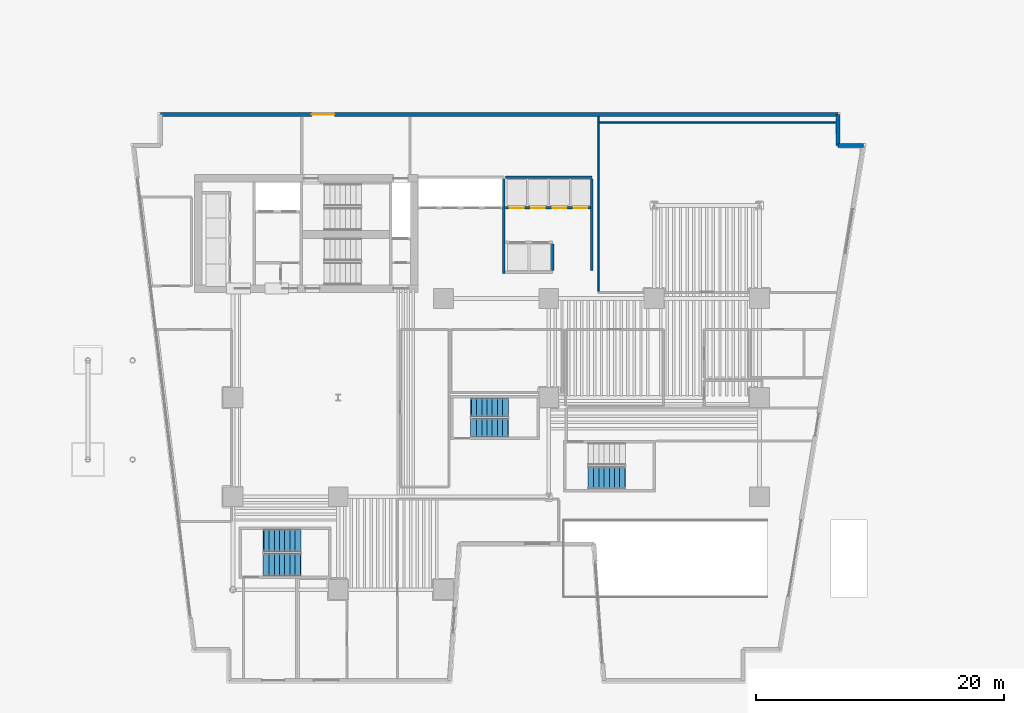
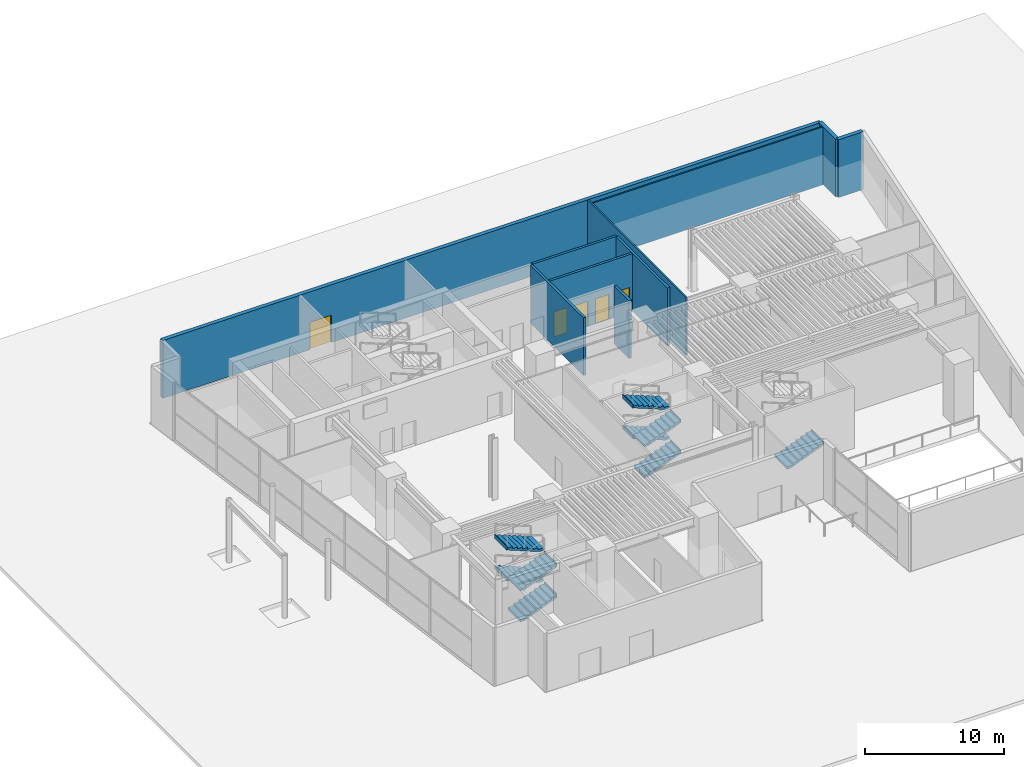
# One storey, part 11 of 18: 10 walls, 9 stair flights, 5 doors, 5 openings, 3 elements without a shape of their own.
"""IFC4 building model written with IfcOpenShell, lengths in metres."""

from ifc_helpers import new_model, si_unit, direction, frame, frame_2d, origin, place, context, subcontext, project, spatial, polyline, rectangle, outline, extrude, material, layer, layer_set, type_object, element, fill, aggregate, save


model = new_model("IFC4")

# Units and contexts
model_context = context("Model", 3, precision=1e-05, world=origin(), true_north=direction((0.0, 1.0)))
body_context = subcontext(model_context, "Body", "Model", "MODEL_VIEW")
ifc_project = project(units=[si_unit("LENGTHUNIT", "METRE"), si_unit("AREAUNIT", "SQUARE_METRE"), si_unit("VOLUMEUNIT", "CUBIC_METRE"), si_unit("PLANEANGLEUNIT", "RADIAN"), si_unit("MASSUNIT", "GRAM", prefix="KILO")], contexts=[model_context])

# Site, building, storey
site_placement = place(None, origin())
site = spatial("IfcSite", under=ifc_project, at=site_placement, CompositionType="ELEMENT")
building_placement = place(site_placement, origin())
building = spatial("IfcBuilding", under=site, at=building_placement, Name="Caeloran Harvest Quay", CompositionType="ELEMENT")
storey_placement = place(building_placement, origin())
storey = spatial("IfcBuildingStorey", under=building, at=storey_placement, Name="L01", CompositionType="ELEMENT", Elevation=0.0)

# Wall, opening, door
ifc_material_1 = material(Name="Precast concrete C50/60", Category="concrete")
ifc_layer_1 = layer(ifc_material_1, 0.320068359375, Name="Precast concrete C50/60")
ifc_layer_set_1 = layer_set([ifc_layer_1], Name="Precast concrete C50/60")
wall_type_1 = type_object("IfcWallType", Name="ENV-WALL-EW-320", PredefinedType="STANDARD", material=ifc_layer_set_1)
wall_1_placement = place(storey_placement, frame((2.659912109375, 45.840087890625, 0.0), z_axis=(0.0, 0.0, 1.0), x_axis=(1.0, 0.0, 0.0)))
wall_1 = element("IfcWall", 1, at=wall_1_placement, inside=storey, type_object=wall_type_1, Name="L01 Exterior Precast Concrete Facade Wall 6", PredefinedType="STANDARD", context=body_context, shape_type="SweptSolid", body=[
    extrude(rectangle(XDim=54.68017578125, YDim=0.320068359375, at=frame_2d((27.340087890625, 0.0))), origin(), (0.0, 0.0, 1.0), 5.080078125),
])
opening_1_placement = place(wall_1_placement, frame((12.222900390625, 0.0, 0.0)))
opening_1 = element("IfcOpeningElement", 2, at=opening_1_placement, cuts=wall_1, Name="Opening ED-02", PredefinedType="OPENING", context=body_context, shape_type="SweptSolid", body=[
    extrude(rectangle(XDim=1.800048828125, YDim=2.39990234375, at=frame_2d((0.89990234375, 1.199951171875))), frame((0.0, 0.169921875, 0.0), z_axis=(0.0, -1.0, 0.0), x_axis=(1.0, 0.0, 0.0)), (0.0, 0.0, 1.0), 0.340087890625),
])
ifc_material_2 = material(Name="Thermally Broken Powder-Coated Aluminium and Safety Glass", Category="aluminium")
door_type_1 = type_object("IfcDoorType", Name="EXTDOOR-ED-02", OperationType="NOTDEFINED", PredefinedType="DOOR", material=ifc_material_2)
door_1_placement = place(opening_1_placement, origin())
door_1 = element("IfcDoor", 3, at=door_1_placement, inside=storey, type_object=door_type_1, Name="L01 Protected Passage ST-C1 Final Exit Door", OperationType="DOUBLE_DOOR_SINGLE_SWING", OverallHeight=2.39990234375, OverallWidth=1.800048828125, PredefinedType="DOOR", context=body_context, shape_type="SweptSolid", body=[
    extrude(rectangle(XDim=1.800048828125, YDim=2.39990234375, at=frame_2d((0.89990234375, 1.199951171875))), frame((0.0, 0.02490234375, 0.0), z_axis=(0.0, -1.0, 0.0), x_axis=(1.0, 0.0, 0.0)), (0.0, 0.0, 1.0), 0.050048828125),
])
fill(opening_1, door_1)

# Walls
wall_2_placement = place(storey_placement, frame((57.340087890625, 45.840087890625, 0.0), z_axis=(0.0, 0.0, 1.0), x_axis=(0.0, -1.0, 0.0)))
element("IfcWall", 4, at=wall_2_placement, inside=storey, type_object=wall_type_1, Name="L01 Exterior Precast Concrete Facade Wall 7", PredefinedType="STANDARD", context=body_context, shape_type="SweptSolid", body=[
    extrude(rectangle(XDim=2.5, YDim=0.320068359375, at=frame_2d((1.25, 0.0))), origin(), (0.0, 0.0, 1.0), 5.080078125),
])
wall_3_placement = place(storey_placement, frame((57.340087890625, 43.340087890625, 0.0), z_axis=(0.0, 0.0, 1.0), x_axis=(1.0, 0.0, 0.0)))
element("IfcWall", 5, at=wall_3_placement, inside=storey, type_object=wall_type_1, Name="L01 Exterior Precast Concrete Facade Wall 8", PredefinedType="STANDARD", context=body_context, shape_type="SweptSolid", body=[
    extrude(rectangle(XDim=2.054931640625, YDim=0.320068359375, at=frame_2d((1.02734375, 0.0))), origin(), (0.0, 0.0, 1.0), 5.080078125),
])
ifc_material_3 = material(Name="Twin-Stud Mineral-Wool Acoustic Gypsum Partition", Category="gypsum")
ifc_layer_2 = layer(ifc_material_3, 0.125, Name="Twin-Stud Mineral-Wool Acoustic Gypsum Partition")
ifc_layer_set_2 = layer_set([ifc_layer_2], Name="Twin-Stud Mineral-Wool Acoustic Gypsum Partition")
wall_type_2 = type_object("IfcWallType", Name="INT-WALL-PW-125", PredefinedType="PARTITIONING", material=ifc_layer_set_2)
wall_4_placement = place(storey_placement, frame((38.0, 31.5673828125, 0.0), z_axis=(0.0, 0.0, 1.0), x_axis=(0.0, 1.0, 0.0)))
element("IfcWall", 6, at=wall_4_placement, inside=storey, type_object=wall_type_2, Name="Enclosed HGV Refrigerated Loading Dock Hall Partition Wall", PredefinedType="PARTITIONING", context=body_context, shape_type="SweptSolid", body=[
    extrude(rectangle(XDim=14.107666015625, YDim=0.125, at=frame_2d((7.0537109375, 0.0))), origin(), (0.0, 0.0, 1.0), 5.080078125),
])
wall_5_placement = place(storey_placement, frame((38.0673828125, 45.199951171875, 0.0), z_axis=(0.0, 0.0, 1.0), x_axis=(1.0, 0.0, 0.0)))
element("IfcWall", 7, at=wall_5_placement, inside=storey, type_object=wall_type_2, Name="Enclosed HGV Refrigerated Loading Dock Hall Partition Wall", PredefinedType="PARTITIONING", context=body_context, shape_type="SweptSolid", body=[
    extrude(rectangle(XDim=19.107666015625, YDim=0.125, at=frame_2d((9.5537109375, 0.0))), origin(), (0.0, 0.0, 1.0), 5.080078125),
])
ifc_material_4 = material(Name="Concrete C50/60", Category="concrete")
ifc_layer_3 = layer(ifc_material_4, 0.199951171875, Name="Concrete C50/60")
ifc_layer_set_3 = layer_set([ifc_layer_3], Name="Concrete C50/60")
wall_type_3 = type_object("IfcWallType", Name="INT-WALL-SW-200", PredefinedType="PARTITIONING", material=ifc_layer_set_3)
wall_6_placement = place(storey_placement, frame((30.3798828125, 33.02001953125, 0.0), z_axis=(0.0, 0.0, 1.0), x_axis=(0.0, 1.0, 0.0)))
element("IfcWall", 8, at=wall_6_placement, inside=storey, type_object=wall_type_3, Name="L01 Bank 1 Lift Shaft East Wall", PredefinedType="PARTITIONING", context=body_context, shape_type="SweptSolid", body=[
    extrude(rectangle(XDim=7.639892578125, YDim=0.199951171875, at=frame_2d((3.81982421875, 0.0))), origin(), (0.0, 0.0, 1.0), 5.080078125),
])
wall_7_placement = place(storey_placement, frame((30.5, 40.780029296875, 0.0), z_axis=(0.0, 0.0, 1.0), x_axis=(1.0, 0.0, 0.0)))
element("IfcWall", 9, at=wall_7_placement, inside=storey, type_object=wall_type_3, Name="L01 Bank 2 Lift Shaft North Wall", PredefinedType="PARTITIONING", context=body_context, shape_type="SweptSolid", body=[
    extrude(rectangle(XDim=6.97998046875, YDim=0.199951171875, at=frame_2d((3.489990234375, 0.0))), origin(), (0.0, 0.0, 1.0), 5.080078125),
])
wall_8_placement = place(storey_placement, frame((37.47998046875, 33.239990234375, 0.0), z_axis=(0.0, 0.0, 1.0), x_axis=(0.0, 1.0, 0.0)))
element("IfcWall", 10, at=wall_8_placement, inside=storey, type_object=wall_type_3, Name="L01 Bank 2 Lift Shaft East Wall", PredefinedType="PARTITIONING", context=body_context, shape_type="SweptSolid", body=[
    extrude(rectangle(XDim=7.419921875, YDim=0.199951171875, at=frame_2d((3.7099609375, 0.0))), origin(), (0.0, 0.0, 1.0), 5.080078125),
])

# Wall, openings, doors
wall_9_placement = place(storey_placement, frame((30.5, 38.320068359375, 0.0), z_axis=(0.0, 0.0, 1.0), x_axis=(1.0, 0.0, 0.0)))
wall_9 = element("IfcWall", 11, at=wall_9_placement, inside=storey, type_object=wall_type_3, Name="L01 Bank 2 Lift Landing Front Wall", PredefinedType="PARTITIONING", context=body_context, shape_type="SweptSolid", body=[
    extrude(rectangle(XDim=6.860107421875, YDim=0.199951171875, at=frame_2d((3.43017578125, 0.0))), origin(), (0.0, 0.0, 1.0), 5.080078125),
])
opening_2_placement = place(wall_9_placement, frame((0.360107421875, 0.0, 0.0)))
opening_2 = element("IfcOpeningElement", 12, at=opening_2_placement, cuts=wall_9, Name="Opening LD-01", PredefinedType="OPENING", context=body_context, shape_type="SweptSolid", body=[
    extrude(rectangle(XDim=1.10009765625, YDim=2.199951171875, at=frame_2d((0.550048828125, 1.10009765625))), frame((0.0, 0.10986328125, 0.0), z_axis=(0.0, -1.0, 0.0), x_axis=(1.0, 0.0, 0.0)), (0.0, 0.0, 1.0), 0.219970703125),
])
opening_3_placement = place(wall_9_placement, frame((2.080078125, 0.0, 0.0)))
opening_3 = element("IfcOpeningElement", 13, at=opening_3_placement, cuts=wall_9, Name="Opening LD-01", PredefinedType="OPENING", context=body_context, shape_type="SweptSolid", body=[
    extrude(rectangle(XDim=1.10009765625, YDim=2.199951171875, at=frame_2d((0.550048828125, 1.10009765625))), frame((0.0, 0.10986328125, 0.0), z_axis=(0.0, -1.0, 0.0), x_axis=(1.0, 0.0, 0.0)), (0.0, 0.0, 1.0), 0.219970703125),
])
opening_4_placement = place(wall_9_placement, frame((3.800048828125, 0.0, 0.0)))
opening_4 = element("IfcOpeningElement", 14, at=opening_4_placement, cuts=wall_9, Name="Opening LD-01", PredefinedType="OPENING", context=body_context, shape_type="SweptSolid", body=[
    extrude(rectangle(XDim=1.10009765625, YDim=2.199951171875, at=frame_2d((0.550048828125, 1.10009765625))), frame((0.0, 0.10986328125, 0.0), z_axis=(0.0, -1.0, 0.0), x_axis=(1.0, 0.0, 0.0)), (0.0, 0.0, 1.0), 0.219970703125),
])
opening_5_placement = place(wall_9_placement, frame((5.52001953125, 0.0, 0.0)))
opening_5 = element("IfcOpeningElement", 15, at=opening_5_placement, cuts=wall_9, Name="Opening LD-01", PredefinedType="OPENING", context=body_context, shape_type="SweptSolid", body=[
    extrude(rectangle(XDim=1.10009765625, YDim=2.199951171875, at=frame_2d((0.550048828125, 1.10009765625))), frame((0.0, 0.10986328125, 0.0), z_axis=(0.0, -1.0, 0.0), x_axis=(1.0, 0.0, 0.0)), (0.0, 0.0, 1.0), 0.219970703125),
])
ifc_material_5 = material(Name="Stainless Steel Grade 316", Category="steel")
door_type_2 = type_object("IfcDoorType", Name="INTDOOR-LD-01", OperationType="NOTDEFINED", PredefinedType="DOOR", material=ifc_material_5)
door_2_placement = place(opening_2_placement, origin())
door_2 = element("IfcDoor", 16, at=door_2_placement, inside=storey, type_object=door_type_2, Name="Lift P2-1 Sliding Landing Door (L01)", OperationType="DOUBLE_DOOR_SLIDING", OverallHeight=2.199951171875, OverallWidth=1.10009765625, PredefinedType="DOOR", context=body_context, shape_type="SweptSolid", body=[
    extrude(rectangle(XDim=1.10009765625, YDim=2.199951171875, at=frame_2d((0.550048828125, 1.10009765625))), frame((0.0, 0.02490234375, 0.0), z_axis=(0.0, -1.0, 0.0), x_axis=(1.0, 0.0, 0.0)), (0.0, 0.0, 1.0), 0.050048828125),
])
fill(opening_2, door_2)
door_3_placement = place(opening_3_placement, origin())
door_3 = element("IfcDoor", 17, at=door_3_placement, inside=storey, type_object=door_type_2, Name="Lift P2-2 Sliding Landing Door (L01)", OperationType="DOUBLE_DOOR_SLIDING", OverallHeight=2.199951171875, OverallWidth=1.10009765625, PredefinedType="DOOR", context=body_context, shape_type="SweptSolid", body=[
    extrude(rectangle(XDim=1.10009765625, YDim=2.199951171875, at=frame_2d((0.550048828125, 1.10009765625))), frame((0.0, 0.02490234375, 0.0), z_axis=(0.0, -1.0, 0.0), x_axis=(1.0, 0.0, 0.0)), (0.0, 0.0, 1.0), 0.050048828125),
])
fill(opening_3, door_3)
door_4_placement = place(opening_4_placement, origin())
door_4 = element("IfcDoor", 18, at=door_4_placement, inside=storey, type_object=door_type_2, Name="Lift P2-3 Sliding Landing Door (L01)", OperationType="DOUBLE_DOOR_SLIDING", OverallHeight=2.199951171875, OverallWidth=1.10009765625, PredefinedType="DOOR", context=body_context, shape_type="SweptSolid", body=[
    extrude(rectangle(XDim=1.10009765625, YDim=2.199951171875, at=frame_2d((0.550048828125, 1.10009765625))), frame((0.0, 0.02490234375, 0.0), z_axis=(0.0, -1.0, 0.0), x_axis=(1.0, 0.0, 0.0)), (0.0, 0.0, 1.0), 0.050048828125),
])
fill(opening_4, door_4)
door_5_placement = place(opening_5_placement, origin())
door_5 = element("IfcDoor", 19, at=door_5_placement, inside=storey, type_object=door_type_2, Name="Lift P2-4 Sliding Landing Door (L01)", OperationType="DOUBLE_DOOR_SLIDING", OverallHeight=2.199951171875, OverallWidth=1.10009765625, PredefinedType="DOOR", context=body_context, shape_type="SweptSolid", body=[
    extrude(rectangle(XDim=1.10009765625, YDim=2.199951171875, at=frame_2d((0.550048828125, 1.10009765625))), frame((0.0, 0.02490234375, 0.0), z_axis=(0.0, -1.0, 0.0), x_axis=(1.0, 0.0, 0.0)), (0.0, 0.0, 1.0), 0.050048828125),
])
fill(opening_5, door_5)

# Wall
wall_10_placement = place(storey_placement, frame((34.300048828125, 33.239990234375, 0.0), z_axis=(0.0, 0.0, 1.0), x_axis=(0.0, 1.0, 0.0)))
element("IfcWall", 20, at=wall_10_placement, inside=storey, type_object=wall_type_3, Name="L01 Shuttle Lift Shaft East Wall", PredefinedType="PARTITIONING", context=body_context, shape_type="SweptSolid", body=[
    extrude(rectangle(XDim=2.169921875, YDim=0.199951171875, at=frame_2d((1.0849609375, 0.0))), origin(), (0.0, 0.0, 1.0), 5.080078125),
])

# Stair, stair flights
stair_type_1 = type_object("IfcStairType", Name="STAIR-STP-180", PredefinedType="HALF_TURN_STAIR", material=ifc_material_4)
stair_1_placement = place(storey_placement, origin())
stair_1 = element("IfcStair", 21, at=stair_1_placement, inside=storey, type_object=stair_type_1, Name="L01 Podium West Public Exit Stair ST-P1", PredefinedType="HALF_TURN_STAIR")
stair_flight_type_1 = type_object("IfcStairFlightType", Name="FLIGHT-STP-180", PredefinedType="STRAIGHT", material=ifc_material_4)
stair_flight_1_placement = place(storey_placement, frame((11.0, 9.5, 0.0), z_axis=(0.0, 0.0, 1.0), x_axis=(1.0, 0.0, 0.0)))
stair_flight_1 = element("IfcStairFlight", 22, at=stair_flight_1_placement, type_object=stair_flight_type_1, Name="ST-P1 flight 1", NumberOfRisers=8, NumberOfTreads=7, PredefinedType="STRAIGHT", RiserHeight=0.16875, TreadLength=0.42, context=body_context, shape_type="SweptSolid", body=[
    extrude(outline(polyline([(-0.054931640625, -0.044921875), (-0.054931640625, -0.03173828125), (-0.054931640625, -0.018310546875), (-0.054931640625, -0.0048828125), (-0.054931640625, 0.008544921875), (-0.054931640625, 0.021728515625), (-0.054931640625, 0.03515625), (-0.054931640625, 0.048583984375), (-0.054931640625, 0.061767578125), (-0.054931640625, 0.0751953125), (-0.054931640625, 0.088623046875), (-0.054931640625, 0.10205078125), (-0.054931640625, 0.115234375), (-0.054931640625, 0.128662109375), (-0.054931640625, 0.14208984375), (-0.054931640625, 0.1552734375), (-0.054931640625, 0.168701171875), (0.419921875, 0.168701171875), (0.419921875, 0.33740234375), (0.840087890625, 0.33740234375), (0.840087890625, 0.50634765625), (1.260009765625, 0.50634765625), (1.260009765625, 0.675048828125), (1.679931640625, 0.675048828125), (1.679931640625, 0.84375), (2.10009765625, 0.84375), (2.10009765625, 1.012451171875), (2.52001953125, 1.012451171875), (2.52001953125, 1.18115234375), (2.93994140625, 1.18115234375), (2.93994140625, 1.35009765625), (2.9951171875, 1.35009765625), (2.9951171875, 1.329345703125), (2.9951171875, 1.30859375), (2.9951171875, 1.2880859375), (2.9951171875, 1.267333984375), (2.9951171875, 1.246826171875), (2.9951171875, 1.22607421875), (2.9951171875, 1.20556640625), (2.9951171875, 1.184814453125), (2.9951171875, 1.164306640625), (2.9951171875, 1.1435546875), (2.9951171875, 1.122802734375), (2.9951171875, 1.102294921875), (2.9951171875, 1.08154296875), (2.9951171875, 1.06103515625), (2.9951171875, 1.040283203125), (2.9951171875, 1.019775390625), (2.93994140625, 1.019775390625), (0.2900390625, -0.044921875), (-0.054931640625, -0.044921875)])), frame((0.0, 0.89990234375, 0.0), z_axis=(0.0, -1.0, 0.0), x_axis=(1.0, 0.0, 0.0)), (0.0, 0.0, 1.0), 1.800048828125),
])
stair_flight_2_placement = place(storey_placement, frame((13.93994140625, 11.449951171875, 1.35009765625), z_axis=(0.0, 0.0, 1.0), x_axis=(-1.0, 0.0, 0.0)))
stair_flight_2 = element("IfcStairFlight", 23, at=stair_flight_2_placement, type_object=stair_flight_type_1, Name="ST-P1 flight 2", NumberOfRisers=8, NumberOfTreads=7, PredefinedType="STRAIGHT", RiserHeight=0.16875, TreadLength=0.42, context=body_context, shape_type="SweptSolid", body=[
    extrude(outline(polyline([(-0.054931640625, -0.044921875), (-0.054931640625, -0.03173828125), (-0.054931640625, -0.018310546875), (-0.054931640625, -0.0048828125), (-0.054931640625, 0.008544921875), (-0.054931640625, 0.021728515625), (-0.054931640625, 0.03515625), (-0.054931640625, 0.048583984375), (-0.054931640625, 0.061767578125), (-0.054931640625, 0.0751953125), (-0.054931640625, 0.088623046875), (-0.054931640625, 0.10205078125), (-0.054931640625, 0.115234375), (-0.054931640625, 0.128662109375), (-0.054931640625, 0.14208984375), (-0.054931640625, 0.1552734375), (-0.054931640625, 0.168701171875), (0.419921875, 0.168701171875), (0.419921875, 0.33740234375), (0.840087890625, 0.33740234375), (0.840087890625, 0.50634765625), (1.260009765625, 0.50634765625), (1.260009765625, 0.675048828125), (1.679931640625, 0.675048828125), (1.679931640625, 0.84375), (2.10009765625, 0.84375), (2.10009765625, 1.012451171875), (2.52001953125, 1.012451171875), (2.52001953125, 1.18115234375), (2.93994140625, 1.18115234375), (2.93994140625, 1.35009765625), (2.9951171875, 1.35009765625), (2.9951171875, 1.329345703125), (2.9951171875, 1.30859375), (2.9951171875, 1.2880859375), (2.9951171875, 1.267333984375), (2.9951171875, 1.246826171875), (2.9951171875, 1.22607421875), (2.9951171875, 1.20556640625), (2.9951171875, 1.184814453125), (2.9951171875, 1.164306640625), (2.9951171875, 1.1435546875), (2.9951171875, 1.122802734375), (2.9951171875, 1.102294921875), (2.9951171875, 1.08154296875), (2.9951171875, 1.06103515625), (2.9951171875, 1.040283203125), (2.9951171875, 1.019775390625), (2.93994140625, 1.019775390625), (0.2900390625, -0.044921875), (-0.054931640625, -0.044921875)])), frame((0.0, 0.89990234375, 0.0), z_axis=(0.0, -1.0, 0.0), x_axis=(1.0, 0.0, 0.0)), (0.0, 0.0, 1.0), 1.800048828125),
])
stair_flight_3_placement = place(storey_placement, frame((11.0, 9.5, 2.699951171875), z_axis=(0.0, 0.0, 1.0), x_axis=(1.0, 0.0, 0.0)))
stair_flight_3 = element("IfcStairFlight", 24, at=stair_flight_3_placement, type_object=stair_flight_type_1, Name="ST-P1 flight 3", NumberOfRisers=8, NumberOfTreads=7, PredefinedType="STRAIGHT", RiserHeight=0.16875, TreadLength=0.42, context=body_context, shape_type="SweptSolid", body=[
    extrude(outline(polyline([(-0.054931640625, -0.044921875), (-0.054931640625, -0.03173828125), (-0.054931640625, -0.018310546875), (-0.054931640625, -0.0048828125), (-0.054931640625, 0.008544921875), (-0.054931640625, 0.021728515625), (-0.054931640625, 0.03515625), (-0.054931640625, 0.048583984375), (-0.054931640625, 0.061767578125), (-0.054931640625, 0.0751953125), (-0.054931640625, 0.088623046875), (-0.054931640625, 0.10205078125), (-0.054931640625, 0.115234375), (-0.054931640625, 0.128662109375), (-0.054931640625, 0.14208984375), (-0.054931640625, 0.1552734375), (-0.054931640625, 0.168701171875), (0.419921875, 0.168701171875), (0.419921875, 0.33740234375), (0.840087890625, 0.33740234375), (0.840087890625, 0.50634765625), (1.260009765625, 0.50634765625), (1.260009765625, 0.675048828125), (1.679931640625, 0.675048828125), (1.679931640625, 0.84375), (2.10009765625, 0.84375), (2.10009765625, 1.012451171875), (2.52001953125, 1.012451171875), (2.52001953125, 1.18115234375), (2.93994140625, 1.18115234375), (2.93994140625, 1.35009765625), (2.9951171875, 1.35009765625), (2.9951171875, 1.329345703125), (2.9951171875, 1.30859375), (2.9951171875, 1.2880859375), (2.9951171875, 1.267333984375), (2.9951171875, 1.246826171875), (2.9951171875, 1.22607421875), (2.9951171875, 1.20556640625), (2.9951171875, 1.184814453125), (2.9951171875, 1.164306640625), (2.9951171875, 1.1435546875), (2.9951171875, 1.122802734375), (2.9951171875, 1.102294921875), (2.9951171875, 1.08154296875), (2.9951171875, 1.06103515625), (2.9951171875, 1.040283203125), (2.9951171875, 1.019775390625), (2.93994140625, 1.019775390625), (0.2900390625, -0.044921875), (-0.054931640625, -0.044921875)])), frame((0.0, 0.89990234375, 0.0), z_axis=(0.0, -1.0, 0.0), x_axis=(1.0, 0.0, 0.0)), (0.0, 0.0, 1.0), 1.800048828125),
])
stair_flight_4_placement = place(storey_placement, frame((13.93994140625, 11.449951171875, 4.050048828125), z_axis=(0.0, 0.0, 1.0), x_axis=(-1.0, 0.0, 0.0)))
stair_flight_4 = element("IfcStairFlight", 25, at=stair_flight_4_placement, type_object=stair_flight_type_1, Name="ST-P1 flight 4", NumberOfRisers=8, NumberOfTreads=7, PredefinedType="STRAIGHT", RiserHeight=0.16875, TreadLength=0.42, context=body_context, shape_type="SweptSolid", body=[
    extrude(outline(polyline([(-0.054931640625, -0.044921875), (-0.054931640625, -0.03173828125), (-0.054931640625, -0.018310546875), (-0.054931640625, -0.0048828125), (-0.054931640625, 0.008544921875), (-0.054931640625, 0.021728515625), (-0.054931640625, 0.03515625), (-0.054931640625, 0.048583984375), (-0.054931640625, 0.061767578125), (-0.054931640625, 0.0751953125), (-0.054931640625, 0.088623046875), (-0.054931640625, 0.10205078125), (-0.054931640625, 0.115234375), (-0.054931640625, 0.128662109375), (-0.054931640625, 0.14208984375), (-0.054931640625, 0.1552734375), (-0.054931640625, 0.168701171875), (0.419921875, 0.168701171875), (0.419921875, 0.33740234375), (0.840087890625, 0.33740234375), (0.840087890625, 0.50634765625), (1.260009765625, 0.50634765625), (1.260009765625, 0.675048828125), (1.679931640625, 0.675048828125), (1.679931640625, 0.84375), (2.10009765625, 0.84375), (2.10009765625, 1.012451171875), (2.52001953125, 1.012451171875), (2.52001953125, 1.18115234375), (2.93994140625, 1.18115234375), (2.93994140625, 1.35009765625), (2.9951171875, 1.35009765625), (2.9951171875, 1.329345703125), (2.9951171875, 1.30859375), (2.9951171875, 1.2880859375), (2.9951171875, 1.267333984375), (2.9951171875, 1.246826171875), (2.9951171875, 1.22607421875), (2.9951171875, 1.20556640625), (2.9951171875, 1.184814453125), (2.9951171875, 1.164306640625), (2.9951171875, 1.1435546875), (2.9951171875, 1.122802734375), (2.9951171875, 1.102294921875), (2.9951171875, 1.08154296875), (2.9951171875, 1.06103515625), (2.9951171875, 1.040283203125), (2.9951171875, 1.019775390625), (2.93994140625, 1.019775390625), (0.2900390625, -0.044921875), (-0.054931640625, -0.044921875)])), frame((0.0, 0.89990234375, 0.0), z_axis=(0.0, -1.0, 0.0), x_axis=(1.0, 0.0, 0.0)), (0.0, 0.0, 1.0), 1.800048828125),
])
aggregate(stair_1, [stair_flight_1, stair_flight_2, stair_flight_3, stair_flight_4])

# Stair, stair flight
stair_2_placement = place(storey_placement, origin())
stair_2 = element("IfcStair", 26, at=stair_2_placement, inside=storey, type_object=stair_type_1, Name="L01 Podium East Public Exit Stair ST-P2", PredefinedType="HALF_TURN_STAIR")
stair_flight_5_placement = place(storey_placement, frame((37.199951171875, 16.5, 0.0), z_axis=(0.0, 0.0, 1.0), x_axis=(1.0, 0.0, 0.0)))
stair_flight_5 = element("IfcStairFlight", 27, at=stair_flight_5_placement, type_object=stair_flight_type_1, Name="ST-P2 flight 1", NumberOfRisers=8, NumberOfTreads=7, PredefinedType="STRAIGHT", RiserHeight=0.16875, TreadLength=0.42, context=body_context, shape_type="SweptSolid", body=[
    extrude(outline(polyline([(-0.054931640625, -0.044921875), (-0.054931640625, -0.03173828125), (-0.054931640625, -0.018310546875), (-0.054931640625, -0.0048828125), (-0.054931640625, 0.008544921875), (-0.054931640625, 0.021728515625), (-0.054931640625, 0.03515625), (-0.054931640625, 0.048583984375), (-0.054931640625, 0.061767578125), (-0.054931640625, 0.0751953125), (-0.054931640625, 0.088623046875), (-0.054931640625, 0.10205078125), (-0.054931640625, 0.115234375), (-0.054931640625, 0.128662109375), (-0.054931640625, 0.14208984375), (-0.054931640625, 0.1552734375), (-0.054931640625, 0.168701171875), (0.419921875, 0.168701171875), (0.419921875, 0.33740234375), (0.840087890625, 0.33740234375), (0.840087890625, 0.50634765625), (1.260009765625, 0.50634765625), (1.260009765625, 0.675048828125), (1.679931640625, 0.675048828125), (1.679931640625, 0.84375), (2.10009765625, 0.84375), (2.10009765625, 1.012451171875), (2.52001953125, 1.012451171875), (2.52001953125, 1.18115234375), (2.93994140625, 1.18115234375), (2.93994140625, 1.35009765625), (2.9951171875, 1.35009765625), (2.9951171875, 1.329345703125), (2.9951171875, 1.30859375), (2.9951171875, 1.2880859375), (2.9951171875, 1.267333984375), (2.9951171875, 1.246826171875), (2.9951171875, 1.22607421875), (2.9951171875, 1.20556640625), (2.9951171875, 1.184814453125), (2.9951171875, 1.164306640625), (2.9951171875, 1.1435546875), (2.9951171875, 1.122802734375), (2.9951171875, 1.102294921875), (2.9951171875, 1.08154296875), (2.9951171875, 1.06103515625), (2.9951171875, 1.040283203125), (2.9951171875, 1.019775390625), (2.93994140625, 1.019775390625), (0.2900390625, -0.044921875), (-0.054931640625, -0.044921875)])), frame((0.0, 0.89990234375, 0.0), z_axis=(0.0, -1.0, 0.0), x_axis=(1.0, 0.0, 0.0)), (0.0, 0.0, 1.0), 1.800048828125),
])
aggregate(stair_2, [stair_flight_5])

# Stair, stair flights
stair_type_2 = type_object("IfcStairType", Name="STAIR-STW-150", PredefinedType="HALF_TURN_STAIR", material=ifc_material_4)
stair_3_placement = place(storey_placement, origin())
stair_3 = element("IfcStair", 28, at=stair_3_placement, inside=storey, type_object=stair_type_2, Name="L01 East Wing Protected Exit Stair ST-W1", PredefinedType="HALF_TURN_STAIR")
stair_flight_type_2 = type_object("IfcStairFlightType", Name="FLIGHT-STW-150", PredefinedType="STRAIGHT", material=ifc_material_4)
stair_flight_6_placement = place(storey_placement, frame((27.75, 20.550048828125, 0.0), z_axis=(0.0, 0.0, 1.0), x_axis=(1.0, 0.0, 0.0)))
stair_flight_6 = element("IfcStairFlight", 29, at=stair_flight_6_placement, type_object=stair_flight_type_2, Name="ST-W1 flight 1", NumberOfRisers=8, NumberOfTreads=7, PredefinedType="STRAIGHT", RiserHeight=0.16875, TreadLength=0.42, context=body_context, shape_type="SweptSolid", body=[
    extrude(outline(polyline([(-0.054931640625, -0.044921875), (-0.054931640625, -0.03173828125), (-0.054931640625, -0.018310546875), (-0.054931640625, -0.0048828125), (-0.054931640625, 0.008544921875), (-0.054931640625, 0.021728515625), (-0.054931640625, 0.03515625), (-0.054931640625, 0.048583984375), (-0.054931640625, 0.061767578125), (-0.054931640625, 0.0751953125), (-0.054931640625, 0.088623046875), (-0.054931640625, 0.10205078125), (-0.054931640625, 0.115234375), (-0.054931640625, 0.128662109375), (-0.054931640625, 0.14208984375), (-0.054931640625, 0.1552734375), (-0.054931640625, 0.168701171875), (0.419921875, 0.168701171875), (0.419921875, 0.33740234375), (0.840087890625, 0.33740234375), (0.840087890625, 0.50634765625), (1.260009765625, 0.50634765625), (1.260009765625, 0.675048828125), (1.679931640625, 0.675048828125), (1.679931640625, 0.84375), (2.10009765625, 0.84375), (2.10009765625, 1.012451171875), (2.52001953125, 1.012451171875), (2.52001953125, 1.18115234375), (2.93994140625, 1.18115234375), (2.93994140625, 1.35009765625), (2.9951171875, 1.35009765625), (2.9951171875, 1.329345703125), (2.9951171875, 1.30859375), (2.9951171875, 1.2880859375), (2.9951171875, 1.267333984375), (2.9951171875, 1.246826171875), (2.9951171875, 1.22607421875), (2.9951171875, 1.20556640625), (2.9951171875, 1.184814453125), (2.9951171875, 1.164306640625), (2.9951171875, 1.1435546875), (2.9951171875, 1.122802734375), (2.9951171875, 1.102294921875), (2.9951171875, 1.08154296875), (2.9951171875, 1.06103515625), (2.9951171875, 1.040283203125), (2.9951171875, 1.019775390625), (2.93994140625, 1.019775390625), (0.2900390625, -0.044921875), (-0.054931640625, -0.044921875)])), frame((0.0, 0.75, 0.0), z_axis=(0.0, -1.0, 0.0), x_axis=(1.0, 0.0, 0.0)), (0.0, 0.0, 1.0), 1.5),
])
stair_flight_7_placement = place(storey_placement, frame((30.68994140625, 22.199951171875, 1.35009765625), z_axis=(0.0, 0.0, 1.0), x_axis=(-1.0, 0.0, 0.0)))
stair_flight_7 = element("IfcStairFlight", 30, at=stair_flight_7_placement, type_object=stair_flight_type_2, Name="ST-W1 flight 2", NumberOfRisers=8, NumberOfTreads=7, PredefinedType="STRAIGHT", RiserHeight=0.16875, TreadLength=0.42, context=body_context, shape_type="SweptSolid", body=[
    extrude(outline(polyline([(-0.054931640625, -0.044921875), (-0.054931640625, -0.03173828125), (-0.054931640625, -0.018310546875), (-0.054931640625, -0.0048828125), (-0.054931640625, 0.008544921875), (-0.054931640625, 0.021728515625), (-0.054931640625, 0.03515625), (-0.054931640625, 0.048583984375), (-0.054931640625, 0.061767578125), (-0.054931640625, 0.0751953125), (-0.054931640625, 0.088623046875), (-0.054931640625, 0.10205078125), (-0.054931640625, 0.115234375), (-0.054931640625, 0.128662109375), (-0.054931640625, 0.14208984375), (-0.054931640625, 0.1552734375), (-0.054931640625, 0.168701171875), (0.419921875, 0.168701171875), (0.419921875, 0.33740234375), (0.840087890625, 0.33740234375), (0.840087890625, 0.50634765625), (1.260009765625, 0.50634765625), (1.260009765625, 0.675048828125), (1.679931640625, 0.675048828125), (1.679931640625, 0.84375), (2.10009765625, 0.84375), (2.10009765625, 1.012451171875), (2.52001953125, 1.012451171875), (2.52001953125, 1.18115234375), (2.93994140625, 1.18115234375), (2.93994140625, 1.35009765625), (2.9951171875, 1.35009765625), (2.9951171875, 1.329345703125), (2.9951171875, 1.30859375), (2.9951171875, 1.2880859375), (2.9951171875, 1.267333984375), (2.9951171875, 1.246826171875), (2.9951171875, 1.22607421875), (2.9951171875, 1.20556640625), (2.9951171875, 1.184814453125), (2.9951171875, 1.164306640625), (2.9951171875, 1.1435546875), (2.9951171875, 1.122802734375), (2.9951171875, 1.102294921875), (2.9951171875, 1.08154296875), (2.9951171875, 1.06103515625), (2.9951171875, 1.040283203125), (2.9951171875, 1.019775390625), (2.93994140625, 1.019775390625), (0.2900390625, -0.044921875), (-0.054931640625, -0.044921875)])), frame((0.0, 0.75, 0.0), z_axis=(0.0, -1.0, 0.0), x_axis=(1.0, 0.0, 0.0)), (0.0, 0.0, 1.0), 1.5),
])
stair_flight_8_placement = place(storey_placement, frame((27.75, 20.550048828125, 2.699951171875), z_axis=(0.0, 0.0, 1.0), x_axis=(1.0, 0.0, 0.0)))
stair_flight_8 = element("IfcStairFlight", 31, at=stair_flight_8_placement, type_object=stair_flight_type_2, Name="ST-W1 flight 3", NumberOfRisers=8, NumberOfTreads=7, PredefinedType="STRAIGHT", RiserHeight=0.16875, TreadLength=0.42, context=body_context, shape_type="SweptSolid", body=[
    extrude(outline(polyline([(-0.054931640625, -0.044921875), (-0.054931640625, -0.03173828125), (-0.054931640625, -0.018310546875), (-0.054931640625, -0.0048828125), (-0.054931640625, 0.008544921875), (-0.054931640625, 0.021728515625), (-0.054931640625, 0.03515625), (-0.054931640625, 0.048583984375), (-0.054931640625, 0.061767578125), (-0.054931640625, 0.0751953125), (-0.054931640625, 0.088623046875), (-0.054931640625, 0.10205078125), (-0.054931640625, 0.115234375), (-0.054931640625, 0.128662109375), (-0.054931640625, 0.14208984375), (-0.054931640625, 0.1552734375), (-0.054931640625, 0.168701171875), (0.419921875, 0.168701171875), (0.419921875, 0.33740234375), (0.840087890625, 0.33740234375), (0.840087890625, 0.50634765625), (1.260009765625, 0.50634765625), (1.260009765625, 0.675048828125), (1.679931640625, 0.675048828125), (1.679931640625, 0.84375), (2.10009765625, 0.84375), (2.10009765625, 1.012451171875), (2.52001953125, 1.012451171875), (2.52001953125, 1.18115234375), (2.93994140625, 1.18115234375), (2.93994140625, 1.35009765625), (2.9951171875, 1.35009765625), (2.9951171875, 1.329345703125), (2.9951171875, 1.30859375), (2.9951171875, 1.2880859375), (2.9951171875, 1.267333984375), (2.9951171875, 1.246826171875), (2.9951171875, 1.22607421875), (2.9951171875, 1.20556640625), (2.9951171875, 1.184814453125), (2.9951171875, 1.164306640625), (2.9951171875, 1.1435546875), (2.9951171875, 1.122802734375), (2.9951171875, 1.102294921875), (2.9951171875, 1.08154296875), (2.9951171875, 1.06103515625), (2.9951171875, 1.040283203125), (2.9951171875, 1.019775390625), (2.93994140625, 1.019775390625), (0.2900390625, -0.044921875), (-0.054931640625, -0.044921875)])), frame((0.0, 0.75, 0.0), z_axis=(0.0, -1.0, 0.0), x_axis=(1.0, 0.0, 0.0)), (0.0, 0.0, 1.0), 1.5),
])
stair_flight_9_placement = place(storey_placement, frame((30.68994140625, 22.199951171875, 4.050048828125), z_axis=(0.0, 0.0, 1.0), x_axis=(-1.0, 0.0, 0.0)))
stair_flight_9 = element("IfcStairFlight", 32, at=stair_flight_9_placement, type_object=stair_flight_type_2, Name="ST-W1 flight 4", NumberOfRisers=8, NumberOfTreads=7, PredefinedType="STRAIGHT", RiserHeight=0.16875, TreadLength=0.42, context=body_context, shape_type="SweptSolid", body=[
    extrude(outline(polyline([(-0.054931640625, -0.044921875), (-0.054931640625, -0.03173828125), (-0.054931640625, -0.018310546875), (-0.054931640625, -0.0048828125), (-0.054931640625, 0.008544921875), (-0.054931640625, 0.021728515625), (-0.054931640625, 0.03515625), (-0.054931640625, 0.048583984375), (-0.054931640625, 0.061767578125), (-0.054931640625, 0.0751953125), (-0.054931640625, 0.088623046875), (-0.054931640625, 0.10205078125), (-0.054931640625, 0.115234375), (-0.054931640625, 0.128662109375), (-0.054931640625, 0.14208984375), (-0.054931640625, 0.1552734375), (-0.054931640625, 0.168701171875), (0.419921875, 0.168701171875), (0.419921875, 0.33740234375), (0.840087890625, 0.33740234375), (0.840087890625, 0.50634765625), (1.260009765625, 0.50634765625), (1.260009765625, 0.675048828125), (1.679931640625, 0.675048828125), (1.679931640625, 0.84375), (2.10009765625, 0.84375), (2.10009765625, 1.012451171875), (2.52001953125, 1.012451171875), (2.52001953125, 1.18115234375), (2.93994140625, 1.18115234375), (2.93994140625, 1.35009765625), (2.9951171875, 1.35009765625), (2.9951171875, 1.329345703125), (2.9951171875, 1.30859375), (2.9951171875, 1.2880859375), (2.9951171875, 1.267333984375), (2.9951171875, 1.246826171875), (2.9951171875, 1.22607421875), (2.9951171875, 1.20556640625), (2.9951171875, 1.184814453125), (2.9951171875, 1.164306640625), (2.9951171875, 1.1435546875), (2.9951171875, 1.122802734375), (2.9951171875, 1.102294921875), (2.9951171875, 1.08154296875), (2.9951171875, 1.06103515625), (2.9951171875, 1.040283203125), (2.9951171875, 1.019775390625), (2.93994140625, 1.019775390625), (0.2900390625, -0.044921875), (-0.054931640625, -0.044921875)])), frame((0.0, 0.75, 0.0), z_axis=(0.0, -1.0, 0.0), x_axis=(1.0, 0.0, 0.0)), (0.0, 0.0, 1.0), 1.5),
])
aggregate(stair_3, [stair_flight_6, stair_flight_7, stair_flight_8, stair_flight_9])

save(model, "model.ifc")
